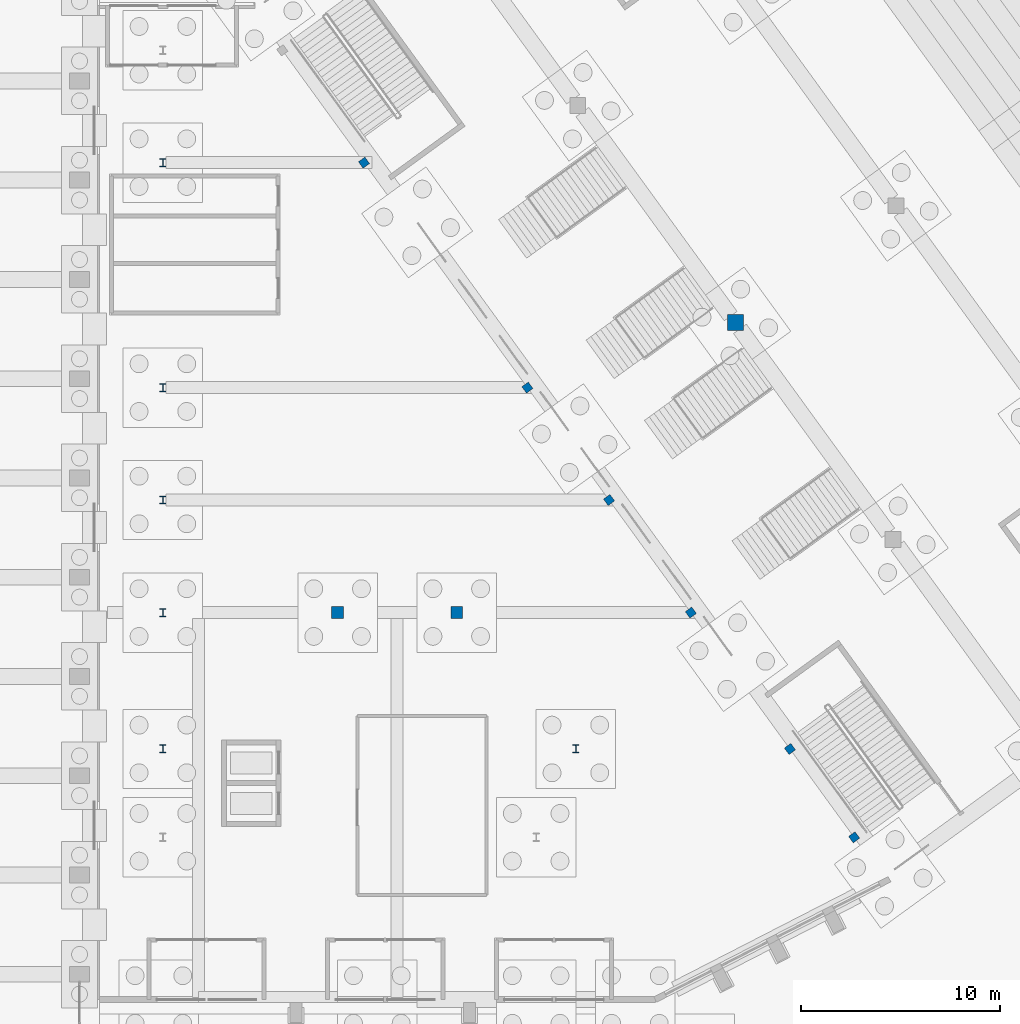
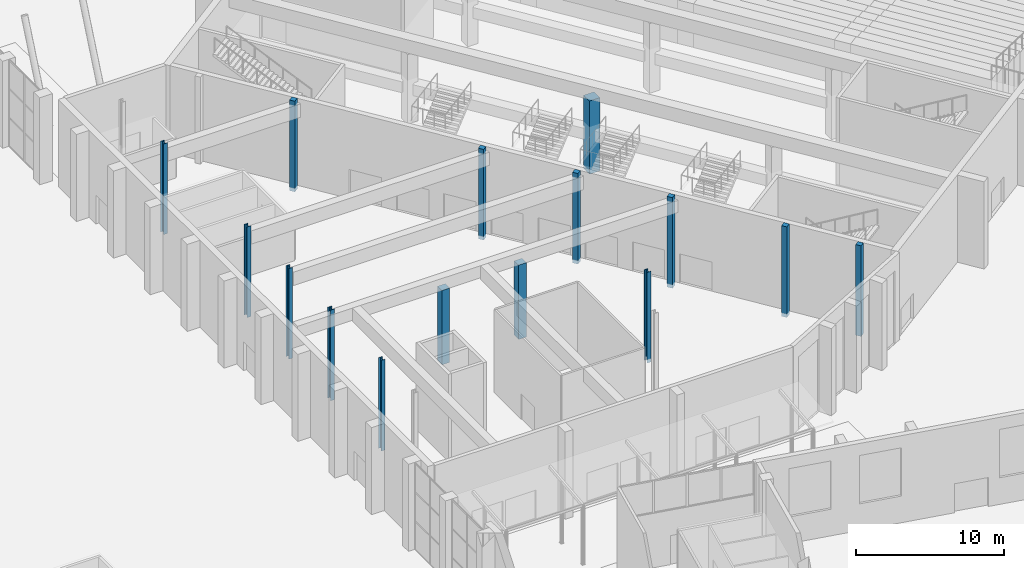
# One storey, part 42 of 239: 15 columns.
"""IFC4 building model written with IfcOpenShell, lengths in metres."""

from ifc_helpers import new_model, si_unit, direction, frame, origin, origin_2d, place, context, subcontext, project, spatial, rectangle, i_section, extrude, material, material_profile, profile_set, type_object, element, save


model = new_model("IFC4")

# Units and contexts
model_context = context("Model", 3, precision=1e-05, world=origin(), true_north=direction((0.0, 1.0)))
body_context = subcontext(model_context, "Body", "Model", "MODEL_VIEW")
ifc_project = project(units=[si_unit("LENGTHUNIT", "METRE"), si_unit("AREAUNIT", "SQUARE_METRE"), si_unit("VOLUMEUNIT", "CUBIC_METRE"), si_unit("PLANEANGLEUNIT", "RADIAN"), si_unit("MASSUNIT", "GRAM", prefix="KILO")], contexts=[model_context])

# Site, building, storey
site_placement = place(None, origin())
site = spatial("IfcSite", under=ifc_project, at=site_placement, CompositionType="ELEMENT")
building_placement = place(site_placement, origin())
building = spatial("IfcBuilding", under=site, at=building_placement, Name="Okhra Congress Centre", CompositionType="ELEMENT")
storey_placement = place(building_placement, origin())
storey = spatial("IfcBuildingStorey", under=building, at=storey_placement, Name="L00", CompositionType="ELEMENT", Elevation=0.0)

# Columns
ifc_material_1 = material(Name="Steel S355J2", Category="steel")
ifc_material_profile_1 = material_profile(ifc_material_1, i_section(OverallWidth=0.300048828125, OverallDepth=0.39990234375, WebThickness=0.013427734375, FlangeThickness=0.02392578125, FilletRadius=0.027099609375, at=origin_2d()), Name="HE 400 B")
ifc_profile_set_1 = profile_set([ifc_material_profile_1], Name="Steel S355J2")
column_type_1 = type_object("IfcColumnType", Name="HE 400 B", PredefinedType="COLUMN", material=ifc_profile_set_1)
for number, where, z_axis, x_axis, name in (
    (1, (193.199951171875, 162.35009765625, -0.300048828125), (0.0, 0.0, 1.0), (1.0, 0.0, 0.0), "Foyer roof column 2"),
    (2, (214.0, 162.35009765625, -0.300048828125), (0.0, 0.0, 1.0), (1.0, 0.0, 0.0), "Foyer mid-span column 2"),
    (3, (193.199951171875, 169.219970703125, -0.300048828125), (0.0, 0.0, 1.0), (1.0, 0.0, 0.0), "Foyer roof column 3"),
    (4, (193.199951171875, 174.889892578125, -0.300048828125), (0.0, 0.0, 1.0), (1.0, 0.0, 0.0), "Foyer roof column 4"),
    (5, (193.199951171875, 180.550048828125, -0.300048828125), (0.0, 0.0, 1.0), (1.0, 0.0, 0.0), "Foyer roof column 5"),
    (6, (193.199951171875, 191.8798828125, -0.300048828125), (0.0, 0.0, 1.0), (1.0, 0.0, 0.0), "Foyer roof column 6"),
):
    element("IfcColumn", number, at=place(storey_placement, frame(where, z_axis=z_axis, x_axis=x_axis)), inside=storey, type_object=column_type_1, Name=name, PredefinedType="COLUMN", context=body_context, shape_type="SweptSolid", body=[
        extrude(i_section(OverallWidth=0.300048828125, OverallDepth=0.39990234375, WebThickness=0.013427734375, FlangeThickness=0.02392578125, FilletRadius=0.027099609375, at=origin_2d()), origin(), (0.0, 0.0, 1.0), 7.5),
    ])
ifc_material_2 = material(Name="Concrete C35/45", Category="concrete")
ifc_material_profile_2 = material_profile(ifc_material_2, rectangle(XDim=0.60009765625, YDim=0.60009765625, at=origin_2d()), Name="RC column 600x600")
ifc_profile_set_2 = profile_set([ifc_material_profile_2], Name="Concrete C35/45")
column_type_2 = type_object("IfcColumnType", Name="RC column 600x600", PredefinedType="COLUMN", material=ifc_profile_set_2)
for number, where, z_axis, x_axis, name in (
    (7, (202.0, 169.219970703125, -0.300048828125), (0.0, 0.0, 1.0), (1.0, 0.0, 0.0), "Gallery column 202"),
    (8, (208.0, 169.219970703125, -0.300048828125), (0.0, 0.0, 1.0), (1.0, 0.0, 0.0), "Gallery column 208"),
):
    element("IfcColumn", number, at=place(storey_placement, frame(where, z_axis=z_axis, x_axis=x_axis)), inside=storey, type_object=column_type_2, Name=name, PredefinedType="COLUMN", context=body_context, shape_type="SweptSolid", body=[
        extrude(rectangle(XDim=0.60009765625, YDim=0.60009765625, at=origin_2d()), origin(), (0.0, 0.0, 1.0), 6.150146484375),
    ])
ifc_material_profile_3 = material_profile(ifc_material_2, rectangle(XDim=0.800048828125, YDim=0.800048828125, at=origin_2d()), Name="RC column 800x800")
ifc_profile_set_3 = profile_set([ifc_material_profile_3], Name="Concrete C35/45")
column_type_3 = type_object("IfcColumnType", Name="RC column 800x800", PredefinedType="COLUMN", material=ifc_profile_set_3)
column_placement = place(storey_placement, frame((222.030517578125, 183.830078125, -0.300048828125), z_axis=(0.0, 0.0, 1.0), x_axis=(1.0, 0.0, 0.0)))
element("IfcColumn", 9, at=column_placement, inside=storey, type_object=column_type_3, Name="Balcony column 2", PredefinedType="COLUMN", context=body_context, shape_type="SweptSolid", body=[
    extrude(rectangle(XDim=0.800048828125, YDim=0.800048828125, at=origin_2d()), origin(), (0.0, 0.0, 1.0), 6.050048828125),
])
ifc_material_profile_4 = material_profile(ifc_material_2, rectangle(XDim=0.39990234375, YDim=0.39990234375, at=origin_2d()), Name="RC pilaster 400x400")
ifc_profile_set_4 = profile_set([ifc_material_profile_4], Name="Concrete C35/45")
column_type_4 = type_object("IfcColumnType", Name="RC pilaster 400x400", PredefinedType="COLUMN", material=ifc_profile_set_4)
for number, where, z_axis, x_axis, name in (
    (10, (228.0146484375, 157.89990234375, -0.300048828125), (0.0, 0.0, 1.0), (0.809016994375, 0.587785252292, 0.0), "Foyer pilaster 1"),
    (11, (224.78173828125, 162.35009765625, -0.300048828125), (0.0, 0.0, 1.0), (0.809016994375, 0.587785252292, 0.0), "Foyer pilaster 2"),
    (12, (219.790283203125, 169.219970703125, -0.300048828125), (0.0, 0.0, 1.0), (0.809016994375, 0.587785252292, 0.0), "Foyer pilaster 3"),
    (13, (215.6708984375, 174.889892578125, -0.300048828125), (0.0, 0.0, 1.0), (0.809016994375, 0.587785252292, 0.0), "Foyer pilaster 4"),
    (14, (211.55859375, 180.550048828125, -0.300048828125), (0.0, 0.0, 1.0), (0.809016994375, 0.587785252292, 0.0), "Foyer pilaster 5"),
    (15, (203.326904296875, 191.8798828125, -0.300048828125), (0.0, 0.0, 1.0), (0.809016994375, 0.587785252292, 0.0), "Foyer pilaster 6"),
):
    element("IfcColumn", number, at=place(storey_placement, frame(where, z_axis=z_axis, x_axis=x_axis)), inside=storey, type_object=column_type_4, Name=name, PredefinedType="COLUMN", context=body_context, shape_type="SweptSolid", body=[
        extrude(rectangle(XDim=0.39990234375, YDim=0.39990234375, at=origin_2d()), origin(), (0.0, 0.0, 1.0), 7.5),
    ])

save(model, "model.ifc")
